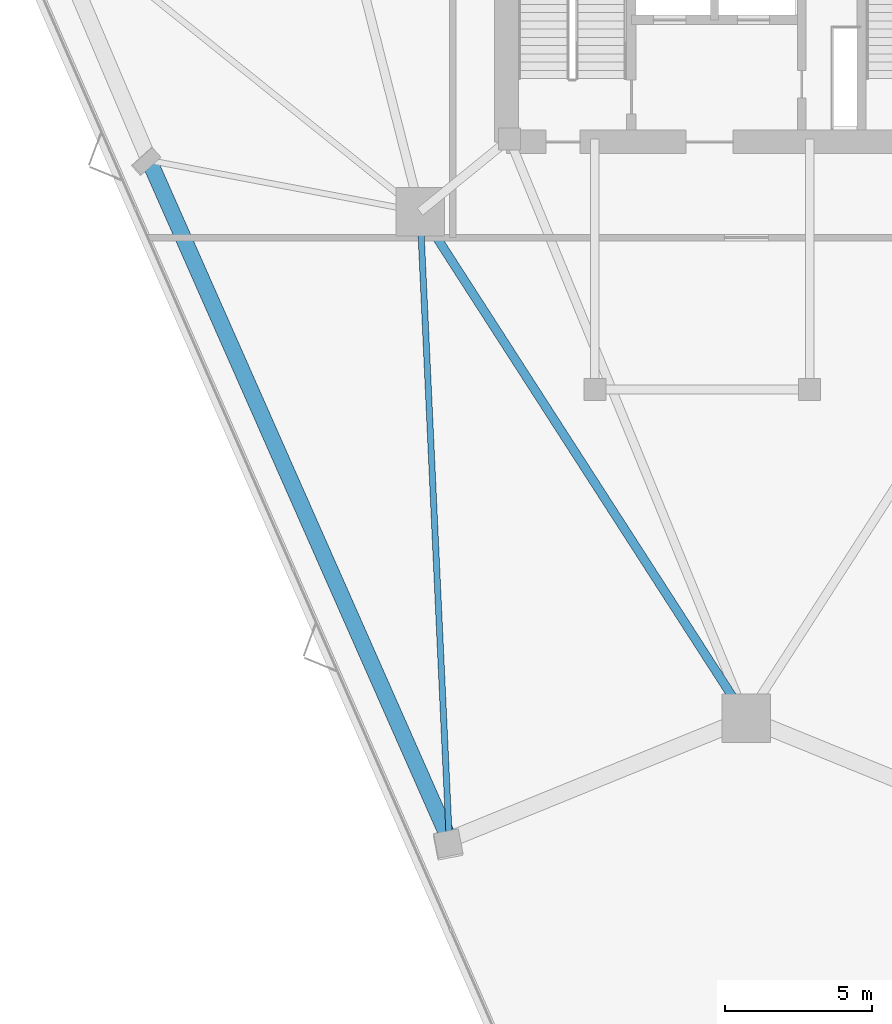
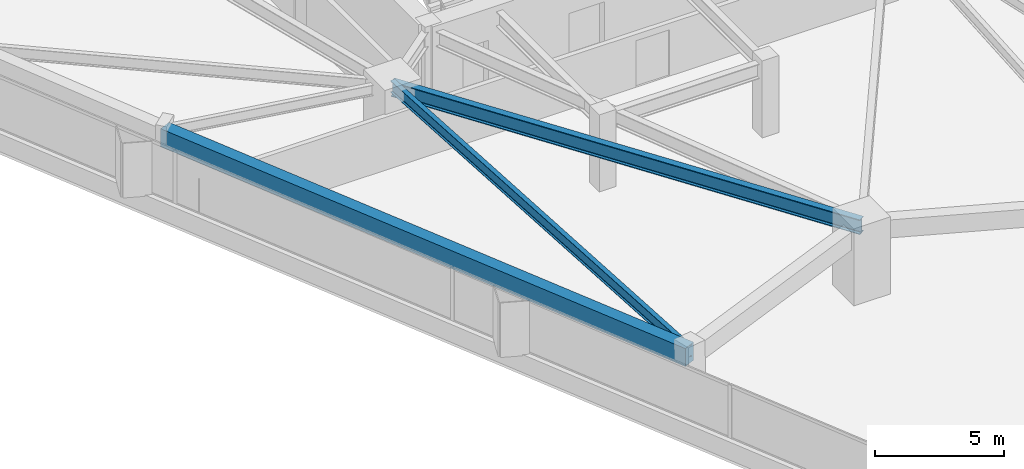
# One storey, part 3 of 19: 3 beams.
"""IFC4 building model written with IfcOpenShell, lengths in metres."""

from ifc_helpers import new_model, si_unit, direction, frame, origin, origin_2d, place, context, subcontext, project, spatial, rectangle, i_section, extrude, material, material_profile, profile_set, type_object, element, save


model = new_model("IFC4")

# Units and contexts
model_context = context("Model", 3, precision=1e-05, world=origin(), true_north=direction((0.0, 1.0)))
body_context = subcontext(model_context, "Body", "Model", "MODEL_VIEW")
ifc_project = project(units=[si_unit("LENGTHUNIT", "METRE"), si_unit("AREAUNIT", "SQUARE_METRE"), si_unit("VOLUMEUNIT", "CUBIC_METRE"), si_unit("PLANEANGLEUNIT", "RADIAN"), si_unit("MASSUNIT", "GRAM", prefix="KILO")], contexts=[model_context])

# Site, building, storey
site_placement = place(None, origin())
site = spatial("IfcSite", under=ifc_project, at=site_placement, CompositionType="ELEMENT")
building_placement = place(site_placement, origin())
building = spatial("IfcBuilding", under=site, at=building_placement, Name="Talyreon Biosciences Tower", CompositionType="ELEMENT")
storey_placement = place(building_placement, frame((0.0, 0.0, 82.300048828125)))
storey = spatial("IfcBuildingStorey", under=building, at=storey_placement, Name="L21", CompositionType="ELEMENT", Elevation=82.300048828125)

# Beams
ifc_material_1 = material(Name="Precast concrete C45/55", Category="concrete")
ifc_material_profile_1 = material_profile(ifc_material_1, rectangle(XDim=0.550048828125, YDim=0.85009765625, at=origin_2d()), Name="RCB 550x850")
ifc_profile_set_1 = profile_set([ifc_material_profile_1], Name="Precast concrete C45/55")
beam_type_1 = type_object("IfcBeamType", Name="ExpressedSpandrel_550x850", PredefinedType="SPANDREL", material=ifc_profile_set_1)
beam_1_placement = place(storey_placement, frame((45.7080078125, 60.62255859375, 2.949951171875), z_axis=(0.404273440008, -0.914638172014, 0.0), x_axis=(0.914638172014, 0.404273440008, 0.0)))
element("IfcBeam", 1, at=beam_1_placement, inside=storey, type_object=beam_type_1, Name="L21 Expressed Horizontal Concrete Spandrel 11", PredefinedType="SPANDREL", context=body_context, shape_type="SweptSolid", body=[
    extrude(rectangle(XDim=0.550048828125, YDim=0.85009765625, at=origin_2d()), origin(), (0.0, 0.0, 1.0), 25.22607421875),
])
ifc_material_2 = material(Name="Steel SM355", Category="steel")
ifc_material_profile_2 = material_profile(ifc_material_2, i_section(OverallWidth=0.300048828125, OverallDepth=0.699951171875, WebThickness=0.01708984375, FlangeThickness=0.031982421875, FilletRadius=0.027099609375, at=origin_2d()), Name="HE700B")
ifc_profile_set_2 = profile_set([ifc_material_profile_2], Name="Steel SM355")
beam_type_2 = type_object("IfcBeamType", Name="SteelGirder_HE700B", PredefinedType="BEAM", material=ifc_profile_set_2)
beam_2_placement = place(storey_placement, frame((54.913818359375, 58.88037109375, 3.02490234375), z_axis=(0.541463723609, -0.840724114092, 0.0), x_axis=(0.840724114092, 0.541463723609, 0.0)))
element("IfcBeam", 2, at=beam_2_placement, inside=storey, type_object=beam_type_2, Name="L21 Mega-Ring Girder 6", PredefinedType="BEAM", context=body_context, shape_type="SweptSolid", body=[
    extrude(i_section(OverallWidth=0.300048828125, OverallDepth=0.699951171875, WebThickness=0.01708984375, FlangeThickness=0.031982421875, FilletRadius=0.027099609375, at=origin_2d()), origin(), (0.0, 0.0, 1.0), 20.474365234375),
])
ifc_material_profile_3 = material_profile(ifc_material_2, i_section(OverallWidth=0.2099609375, OverallDepth=0.550048828125, WebThickness=0.010986328125, FlangeThickness=0.01708984375, FilletRadius=0.02392578125, at=origin_2d()), Name="IPE550")
ifc_profile_set_3 = profile_set([ifc_material_profile_3], Name="Steel SM355")
beam_type_3 = type_object("IfcBeamType", Name="SteelJoist_IPE550", PredefinedType="JOIST", material=ifc_profile_set_3)
beam_3_placement = place(storey_placement, frame((54.913818359375, 58.88037109375, 3.099853515625), z_axis=(0.046475991651, -0.99891940726, 0.0), x_axis=(0.99891940726, 0.046475991651, 0.0)))
element("IfcBeam", 3, at=beam_3_placement, inside=storey, type_object=beam_type_3, Name="L21 Radial Composite Floor Joist PC-SW2", PredefinedType="JOIST", context=body_context, shape_type="SweptSolid", body=[
    extrude(i_section(OverallWidth=0.2099609375, OverallDepth=0.550048828125, WebThickness=0.010986328125, FlangeThickness=0.01708984375, FilletRadius=0.02392578125, at=origin_2d()), origin(), (0.0, 0.0, 1.0), 21.353759765625),
])

save(model, "model.ifc")
